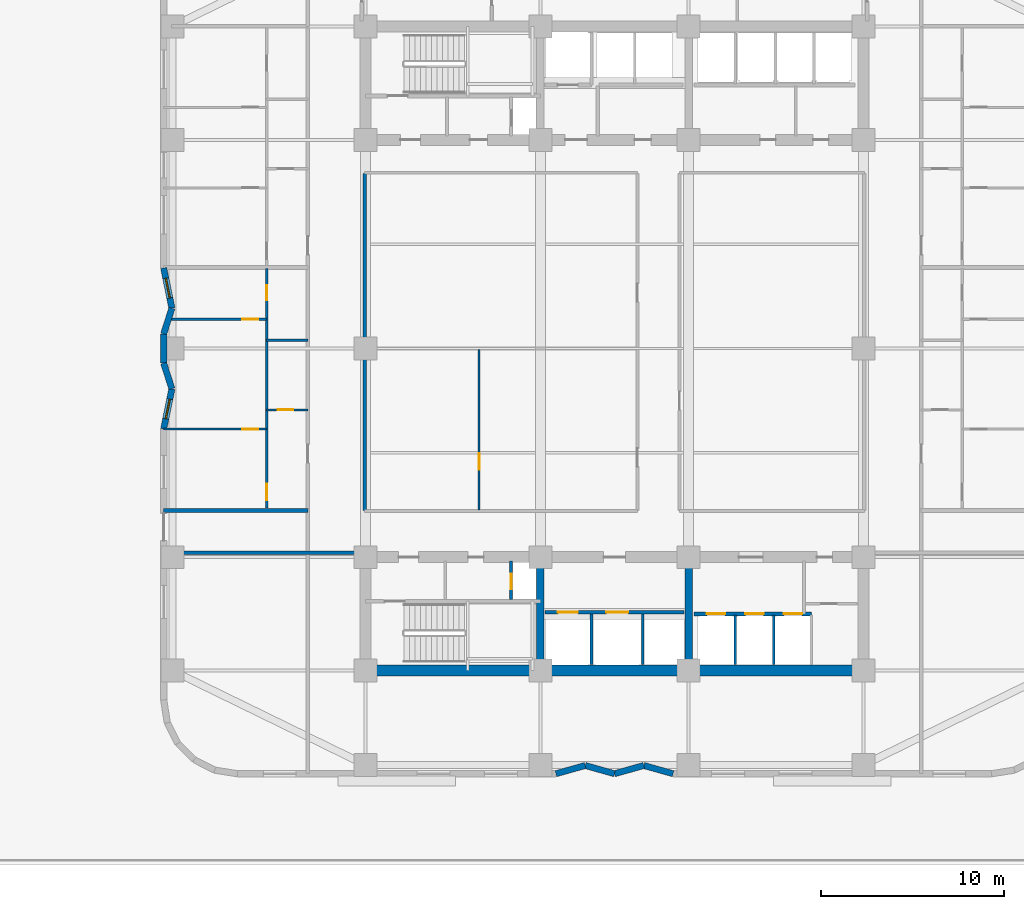
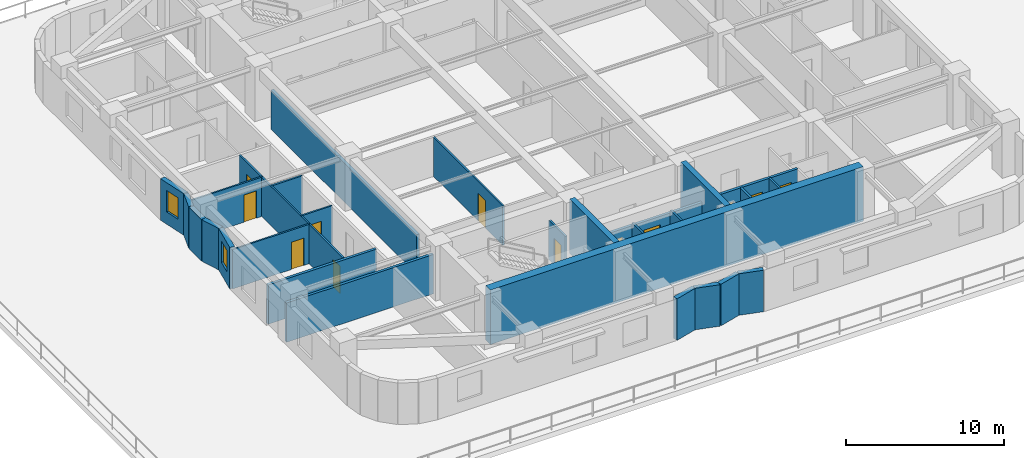
# One storey, part 3 of 11: 28 walls, 12 doors, 2 windows, 14 openings.
"""IFC4 building model written with IfcOpenShell, lengths in metres."""

from ifc_helpers import new_model, si_unit, direction, frame, frame_2d, origin, place, context, subcontext, project, spatial, rectangle, extrude, material, layer, layer_set, type_object, element, fill, save


model = new_model("IFC4")

# Units and contexts
model_context = context("Model", 3, precision=1e-05, world=origin(), true_north=direction((0.0, 1.0)))
body_context = subcontext(model_context, "Body", "Model", "MODEL_VIEW")
ifc_project = project(units=[si_unit("LENGTHUNIT", "METRE"), si_unit("AREAUNIT", "SQUARE_METRE"), si_unit("VOLUMEUNIT", "CUBIC_METRE"), si_unit("PLANEANGLEUNIT", "RADIAN"), si_unit("MASSUNIT", "GRAM", prefix="KILO")], contexts=[model_context])

# Site, building, storey
site_placement = place(None, origin())
site = spatial("IfcSite", under=ifc_project, at=site_placement, CompositionType="ELEMENT")
building_placement = place(site_placement, origin())
building = spatial("IfcBuilding", under=site, at=building_placement, Name="Svetorya Sky Lyceum", CompositionType="ELEMENT")
storey_placement = place(building_placement, frame((0.0, 0.0, 24.60009765625)))
storey = spatial("IfcBuildingStorey", under=building, at=storey_placement, Name="L05", CompositionType="ELEMENT", Elevation=24.60009765625)

# Walls
ifc_material_1 = material(Name="Concrete C40/50", Category="concrete")
ifc_layer_1 = layer(ifc_material_1, 0.39990234375)
ifc_layer_set_1 = layer_set([ifc_layer_1], Name="Concrete C40/50")
wall_type_1 = type_object("IfcWallType", Name="WL-CORE-400", PredefinedType="SHEAR", material=ifc_layer_set_1)
for number, where, z_axis, x_axis, name in (
    (1, (35.14990234375, 10.89990234375, 0.0), (0.0, 0.0, 1.0), (0.0, 1.0, 0.0), "L05 SC Internal Shear Web WEB1"),
    (2, (43.25, 10.89990234375, 0.0), (0.0, 0.0, 1.0), (0.0, 1.0, 0.0), "L05 SC Internal Shear Web WEB2"),
):
    element("IfcWall", number, at=place(storey_placement, frame(where, z_axis=z_axis, x_axis=x_axis)), inside=storey, type_object=wall_type_1, Name=name, PredefinedType="SHEAR", context=body_context, shape_type="SweptSolid", body=[
        extrude(rectangle(XDim=5.60009765625, YDim=0.39990234375, at=frame_2d((2.800048828125, 0.0))), origin(), (0.0, 0.0, 1.0), 4.199951171875),
    ])
ifc_material_2 = material(Name="Concrete C60/75", Category="concrete")
ifc_layer_2 = layer(ifc_material_2, 0.60009765625)
ifc_layer_set_2 = layer_set([ifc_layer_2], Name="Concrete C60/75")
wall_type_2 = type_object("IfcWallType", Name="WL-CORE-600", PredefinedType="SHEAR", material=ifc_layer_set_2)
wall_1_placement = place(storey_placement, frame((52.800048828125, 10.60009765625, 0.0), z_axis=(0.0, 0.0, 1.0), x_axis=(-1.0, 0.0, 0.0)))
element("IfcWall", 3, at=wall_1_placement, inside=storey, type_object=wall_type_2, Name="L05 SC Outer Core Shear Wall", PredefinedType="SHEAR", context=body_context, shape_type="SweptSolid", body=[
    extrude(rectangle(XDim=27.199951171875, YDim=0.60009765625, at=frame_2d((13.60009765625, 0.0))), origin(), (0.0, 0.0, 1.0), 4.199951171875),
])
ifc_material_3 = material(Name="Putilovo limestone rainscreen on autoclaved cellular masonry", Category="masonry")
ifc_layer_3 = layer(ifc_material_3, 0.340087890625)
ifc_layer_set_3 = layer_set([ifc_layer_3], Name="Putilovo limestone rainscreen on autoclaved cellular masonry")
wall_type_3 = type_object("IfcWallType", Name="WL-EXT-340", PredefinedType="SOLIDWALL", material=ifc_layer_set_3)
wall_2_placement = place(storey_placement, frame((36.0, 4.969970703125, 0.0), z_axis=(0.0, 0.0, 1.0), x_axis=(0.962662902433, 0.270703040766, 0.0)))
element("IfcWall", 4, at=wall_2_placement, inside=storey, type_object=wall_type_3, Name="L05 Limestone Exterior Wall 7M", PredefinedType="SOLIDWALL", context=body_context, shape_type="SweptSolid", body=[
    extrude(rectangle(XDim=1.662109375, YDim=0.340087890625, at=frame_2d((0.8310546875, 0.0))), origin(), (0.0, 0.0, 1.0), 3.199951171875),
])
wall_3_placement = place(storey_placement, frame((37.60009765625, 5.419921875, 0.0), z_axis=(0.0, 0.0, 1.0), x_axis=(0.962652136636, -0.270741322725, 0.0)))
element("IfcWall", 5, at=wall_3_placement, inside=storey, type_object=wall_type_3, Name="L05 Limestone Exterior Wall 8M", PredefinedType="SOLIDWALL", context=body_context, shape_type="SweptSolid", body=[
    extrude(rectangle(XDim=1.661865234375, YDim=0.340087890625, at=frame_2d((0.8310546875, 0.0))), origin(), (0.0, 0.0, 1.0), 3.199951171875),
])
wall_4_placement = place(storey_placement, frame((39.199951171875, 4.969970703125, 0.0), z_axis=(0.0, 0.0, 1.0), x_axis=(0.962662902433, 0.270703040766, 0.0)))
element("IfcWall", 6, at=wall_4_placement, inside=storey, type_object=wall_type_3, Name="L05 Limestone Exterior Wall 9M", PredefinedType="SOLIDWALL", context=body_context, shape_type="SweptSolid", body=[
    extrude(rectangle(XDim=1.662109375, YDim=0.340087890625, at=frame_2d((0.8310546875, 0.0))), origin(), (0.0, 0.0, 1.0), 3.199951171875),
])
wall_5_placement = place(storey_placement, frame((40.800048828125, 5.419921875, 0.0), z_axis=(0.0, 0.0, 1.0), x_axis=(0.962652136636, -0.270741322725, 0.0)))
element("IfcWall", 7, at=wall_5_placement, inside=storey, type_object=wall_type_3, Name="L05 Limestone Exterior Wall 10M", PredefinedType="SOLIDWALL", context=body_context, shape_type="SweptSolid", body=[
    extrude(rectangle(XDim=1.661865234375, YDim=0.340087890625, at=frame_2d((0.8310546875, 0.0))), origin(), (0.0, 0.0, 1.0), 3.199951171875),
])

# Wall, opening, window
wall_6_placement = place(storey_placement, frame((14.570068359375, 32.60009765625, 0.0), z_axis=(0.0, 0.0, 1.0), x_axis=(0.200358291506, -0.979722692921, 0.0)))
wall_6 = element("IfcWall", 8, at=wall_6_placement, inside=storey, type_object=wall_type_3, Name="L05 Limestone Exterior Wall 41M", PredefinedType="SOLIDWALL", context=body_context, shape_type="SweptSolid", body=[
    extrude(rectangle(XDim=2.245849609375, YDim=0.340087890625, at=frame_2d((1.123046875, 0.0))), origin(), (0.0, 0.0, 1.0), 3.199951171875),
])
opening_1_placement = place(wall_6_placement, frame((0.57275390625, 0.0, 0.949951171875)))
opening_1 = element("IfcOpeningElement", 9, at=opening_1_placement, cuts=wall_6, Name="Opening W-R3", PredefinedType="OPENING", context=body_context, shape_type="SweptSolid", body=[
    extrude(rectangle(XDim=1.10009765625, YDim=1.64990234375, at=frame_2d((0.550048828125, 0.824951171875))), frame((0.0, 0.179931640625, 0.0), z_axis=(0.0, -1.0, 0.0), x_axis=(1.0, 0.0, 0.0)), (0.0, 0.0, 1.0), 0.360107421875),
])
ifc_material_4 = material(Name="Thermally broken aluminium frame with triple low-E glazing", Category="aluminium")
window_type = type_object("IfcWindowType", Name="WN-RES-110", PartitioningType="SINGLE_PANEL", PredefinedType="WINDOW", material=ifc_material_4)
window_1_placement = place(opening_1_placement, origin())
window_1 = element("IfcWindow", 10, at=window_1_placement, inside=storey, type_object=window_type, Name="L05 Facade Window W-R3.41M.1", OverallHeight=1.64990234375, OverallWidth=1.10009765625, PartitioningType="SINGLE_PANEL", PredefinedType="WINDOW", context=body_context, shape_type="SweptSolid", body=[
    extrude(rectangle(XDim=1.10009765625, YDim=1.64990234375, at=frame_2d((0.550048828125, 0.824951171875))), frame((0.0, 0.030029296875, 0.0), z_axis=(0.0, -1.0, 0.0), x_axis=(1.0, 0.0, 0.0)), (0.0, 0.0, 1.0), 0.06005859375),
])
fill(opening_1, window_1)

# Walls
wall_7_placement = place(storey_placement, frame((15.02001953125, 30.39990234375, 0.0), z_axis=(0.0, 0.0, 1.0), x_axis=(-0.30599843145, -0.952032016242, 0.0)))
element("IfcWall", 11, at=wall_7_placement, inside=storey, type_object=wall_type_3, Name="L05 Limestone Exterior Wall 42M", PredefinedType="SOLIDWALL", context=body_context, shape_type="SweptSolid", body=[
    extrude(rectangle(XDim=1.470458984375, YDim=0.340087890625, at=frame_2d((0.7353515625, 0.0))), origin(), (0.0, 0.0, 1.0), 3.199951171875),
])
wall_8_placement = place(storey_placement, frame((14.570068359375, 29.0, 0.0), z_axis=(0.0, 0.0, 1.0), x_axis=(0.0, -1.0, 0.0)))
element("IfcWall", 12, at=wall_8_placement, inside=storey, type_object=wall_type_3, Name="L05 Limestone Exterior Wall 43M", PredefinedType="SOLIDWALL", context=body_context, shape_type="SweptSolid", body=[
    extrude(rectangle(XDim=1.60009765625, YDim=0.340087890625, at=frame_2d((0.800048828125, 0.0))), origin(), (0.0, 0.0, 1.0), 3.199951171875),
])
wall_9_placement = place(storey_placement, frame((14.570068359375, 27.39990234375, 0.0), z_axis=(0.0, 0.0, 1.0), x_axis=(0.30599843145, -0.952032016242, 0.0)))
element("IfcWall", 13, at=wall_9_placement, inside=storey, type_object=wall_type_3, Name="L05 Limestone Exterior Wall 44M", PredefinedType="SOLIDWALL", context=body_context, shape_type="SweptSolid", body=[
    extrude(rectangle(XDim=1.470458984375, YDim=0.340087890625, at=frame_2d((0.7353515625, 0.0))), origin(), (0.0, 0.0, 1.0), 3.199951171875),
])

# Wall, opening, window
wall_10_placement = place(storey_placement, frame((15.02001953125, 26.0, 0.0), z_axis=(0.0, 0.0, 1.0), x_axis=(-0.200379633636, -0.979718328104, 0.0)))
wall_10 = element("IfcWall", 14, at=wall_10_placement, inside=storey, type_object=wall_type_3, Name="L05 Limestone Exterior Wall 45M", PredefinedType="SOLIDWALL", context=body_context, shape_type="SweptSolid", body=[
    extrude(rectangle(XDim=2.24560546875, YDim=0.340087890625, at=frame_2d((1.122802734375, 0.0))), origin(), (0.0, 0.0, 1.0), 3.199951171875),
])
opening_2_placement = place(wall_10_placement, frame((0.57275390625, 0.0, 0.949951171875)))
opening_2 = element("IfcOpeningElement", 15, at=opening_2_placement, cuts=wall_10, Name="Opening W-R3", PredefinedType="OPENING", context=body_context, shape_type="SweptSolid", body=[
    extrude(rectangle(XDim=1.10009765625, YDim=1.64990234375, at=frame_2d((0.550048828125, 0.824951171875))), frame((0.0, 0.179931640625, 0.0), z_axis=(0.0, -1.0, 0.0), x_axis=(1.0, 0.0, 0.0)), (0.0, 0.0, 1.0), 0.360107421875),
])
window_2_placement = place(opening_2_placement, origin())
window_2 = element("IfcWindow", 16, at=window_2_placement, inside=storey, type_object=window_type, Name="L05 Facade Window W-R3.45M.1", OverallHeight=1.64990234375, OverallWidth=1.10009765625, PartitioningType="SINGLE_PANEL", PredefinedType="WINDOW", context=body_context, shape_type="SweptSolid", body=[
    extrude(rectangle(XDim=1.10009765625, YDim=1.64990234375, at=frame_2d((0.550048828125, 0.824951171875))), frame((0.0, 0.030029296875, 0.0), z_axis=(0.0, -1.0, 0.0), x_axis=(1.0, 0.0, 0.0)), (0.0, 0.0, 1.0), 0.06005859375),
])
fill(opening_2, window_2)

# Wall, opening, door
ifc_material_5 = material(Name="Twin-stud galvanized framing with double fireboard", Category="gypsum")
ifc_layer_4 = layer(ifc_material_5, 0.1201171875)
ifc_layer_set_4 = layer_set([ifc_layer_4], Name="Twin-stud galvanized framing with double fireboard")
wall_type_4 = type_object("IfcWallType", Name="WL-PART-120", PredefinedType="PARTITIONING", material=ifc_layer_set_4)
wall_11_placement = place(storey_placement, frame((31.800048828125, 19.3798828125, 0.0), z_axis=(0.0, 0.0, 1.0), x_axis=(0.0, 1.0, 0.0)))
wall_11 = element("IfcWall", 17, at=wall_11_placement, inside=storey, type_object=wall_type_4, Name="L05 Interior Partition CEN-WV1", PredefinedType="PARTITIONING", context=body_context, shape_type="SweptSolid", body=[
    extrude(rectangle(XDim=8.77001953125, YDim=0.1201171875, at=frame_2d((4.385009765625, 0.0))), origin(), (0.0, 0.0, 1.0), 3.02978515625),
])
opening_3_placement = place(wall_11_placement, frame((2.199951171875, 0.0, 0.0)))
opening_3 = element("IfcOpeningElement", 18, at=opening_3_placement, cuts=wall_11, Name="Opening D-RM1", PredefinedType="OPENING", context=body_context, shape_type="SweptSolid", body=[
    extrude(rectangle(XDim=0.89990234375, YDim=2.10009765625, at=frame_2d((0.449951171875, 1.050048828125))), frame((0.0, 0.070068359375, 0.0), z_axis=(0.0, -1.0, 0.0), x_axis=(1.0, 0.0, 0.0)), (0.0, 0.0, 1.0), 0.14013671875),
])
ifc_material_6 = material(Name="Lacquered birch veneer internal door")
door_type_1 = type_object("IfcDoorType", Name="DR-INT-900", OperationType="SINGLE_SWING_LEFT", PredefinedType="DOOR", material=ifc_material_6)
door_1_placement = place(opening_3_placement, origin())
door_1 = element("IfcDoor", 19, at=door_1_placement, inside=storey, type_object=door_type_1, Name="L05 Quiet Study Door", OperationType="SINGLE_SWING_LEFT", OverallHeight=2.10009765625, OverallWidth=0.89990234375, PredefinedType="DOOR", context=body_context, shape_type="SweptSolid", body=[
    extrude(rectangle(XDim=0.89990234375, YDim=2.10009765625, at=frame_2d((0.449951171875, 1.050048828125))), frame((0.0, 0.02490234375, 0.0), z_axis=(0.0, -1.0, 0.0), x_axis=(1.0, 0.0, 0.0)), (0.0, 0.0, 1.0), 0.050048828125),
])
fill(opening_3, door_1)

wall_12_placement = place(storey_placement, frame((20.199951171875, 24.85009765625, 0.0), z_axis=(0.0, 0.0, 1.0), x_axis=(1.0, 0.0, 0.0)))
wall_12 = element("IfcWall", 20, at=wall_12_placement, inside=storey, type_object=wall_type_4, Name="L05 Interior Partition W1-WH1", PredefinedType="PARTITIONING", context=body_context, shape_type="SweptSolid", body=[
    extrude(rectangle(XDim=2.25, YDim=0.1201171875, at=frame_2d((1.125, 0.0))), origin(), (0.0, 0.0, 1.0), 3.02978515625),
])
opening_4_placement = place(wall_12_placement, frame((0.60009765625, 0.0, 0.0)))
opening_4 = element("IfcOpeningElement", 21, at=opening_4_placement, cuts=wall_12, Name="Opening D-BT1", PredefinedType="OPENING", context=body_context, shape_type="SweptSolid", body=[
    extrude(rectangle(XDim=0.85009765625, YDim=2.10009765625, at=frame_2d((0.425048828125, 1.050048828125))), frame((0.0, 0.070068359375, 0.0), z_axis=(0.0, -1.0, 0.0), x_axis=(1.0, 0.0, 0.0)), (0.0, 0.0, 1.0), 0.14013671875),
])
ifc_material_7 = material(Name="Moisture-resistant laminate bathroom door")
door_type_2 = type_object("IfcDoorType", Name="DR-WET-850", OperationType="SINGLE_SWING_LEFT", PredefinedType="DOOR", material=ifc_material_7)
door_2_placement = place(opening_4_placement, origin())
door_2 = element("IfcDoor", 22, at=door_2_placement, inside=storey, type_object=door_type_2, Name="Apartment W1 Bathroom Door", OperationType="SINGLE_SWING_LEFT", OverallHeight=2.10009765625, OverallWidth=0.85009765625, PredefinedType="DOOR", context=body_context, shape_type="SweptSolid", body=[
    extrude(rectangle(XDim=0.85009765625, YDim=2.10009765625, at=frame_2d((0.425048828125, 1.050048828125))), frame((0.0, 0.02490234375, 0.0), z_axis=(0.0, -1.0, 0.0), x_axis=(1.0, 0.0, 0.0)), (0.0, 0.0, 1.0), 0.050048828125),
])
fill(opening_4, door_2)

wall_13_placement = place(storey_placement, frame((14.570068359375, 23.800048828125, 0.0), z_axis=(0.0, 0.0, 1.0), x_axis=(1.0, 0.0, 0.0)))
wall_13 = element("IfcWall", 23, at=wall_13_placement, inside=storey, type_object=wall_type_4, Name="L05 Interior Partition W1-WL1", PredefinedType="PARTITIONING", context=body_context, shape_type="SweptSolid", body=[
    extrude(rectangle(XDim=5.6298828125, YDim=0.1201171875, at=frame_2d((2.81494140625, 0.0))), origin(), (0.0, 0.0, 1.0), 3.02978515625),
])
opening_5_placement = place(wall_13_placement, frame((4.280029296875, 0.0, 0.0)))
opening_5 = element("IfcOpeningElement", 24, at=opening_5_placement, cuts=wall_13, Name="Opening D-RM1", PredefinedType="OPENING", context=body_context, shape_type="SweptSolid", body=[
    extrude(rectangle(XDim=0.89990234375, YDim=2.10009765625, at=frame_2d((0.449951171875, 1.050048828125))), frame((0.0, 0.070068359375, 0.0), z_axis=(0.0, -1.0, 0.0), x_axis=(1.0, 0.0, 0.0)), (0.0, 0.0, 1.0), 0.14013671875),
])
door_3_placement = place(opening_5_placement, origin())
door_3 = element("IfcDoor", 25, at=door_3_placement, inside=storey, type_object=door_type_1, Name="Apartment W1 Master Bedroom Door", OperationType="SINGLE_SWING_LEFT", OverallHeight=2.10009765625, OverallWidth=0.89990234375, PredefinedType="DOOR", context=body_context, shape_type="SweptSolid", body=[
    extrude(rectangle(XDim=0.89990234375, YDim=2.10009765625, at=frame_2d((0.449951171875, 1.050048828125))), frame((0.0, 0.02490234375, 0.0), z_axis=(0.0, -1.0, 0.0), x_axis=(1.0, 0.0, 0.0)), (0.0, 0.0, 1.0), 0.050048828125),
])
fill(opening_5, door_3)

wall_14_placement = place(storey_placement, frame((14.8271484375, 29.800048828125, 0.0), z_axis=(0.0, 0.0, 1.0), x_axis=(1.0, 0.0, 0.0)))
wall_14 = element("IfcWall", 26, at=wall_14_placement, inside=storey, type_object=wall_type_4, Name="L05 Interior Partition W1-WL2", PredefinedType="PARTITIONING", context=body_context, shape_type="SweptSolid", body=[
    extrude(rectangle(XDim=5.372802734375, YDim=0.1201171875, at=frame_2d((2.6865234375, 0.0))), origin(), (0.0, 0.0, 1.0), 3.02978515625),
])
opening_6_placement = place(wall_14_placement, frame((4.02294921875, 0.0, 0.0)))
opening_6 = element("IfcOpeningElement", 27, at=opening_6_placement, cuts=wall_14, Name="Opening D-RM1", PredefinedType="OPENING", context=body_context, shape_type="SweptSolid", body=[
    extrude(rectangle(XDim=0.89990234375, YDim=2.10009765625, at=frame_2d((0.449951171875, 1.050048828125))), frame((0.0, 0.070068359375, 0.0), z_axis=(0.0, -1.0, 0.0), x_axis=(1.0, 0.0, 0.0)), (0.0, 0.0, 1.0), 0.14013671875),
])
door_4_placement = place(opening_6_placement, origin())
door_4 = element("IfcDoor", 28, at=door_4_placement, inside=storey, type_object=door_type_1, Name="Apartment W1 Bedroom 2 Door", OperationType="SINGLE_SWING_RIGHT", OverallHeight=2.10009765625, OverallWidth=0.89990234375, PredefinedType="DOOR", context=body_context, shape_type="SweptSolid", body=[
    extrude(rectangle(XDim=0.89990234375, YDim=2.10009765625, at=frame_2d((0.449951171875, 1.050048828125))), frame((0.0, 0.02490234375, 0.0), z_axis=(0.0, -1.0, 0.0), x_axis=(1.0, 0.0, 0.0)), (0.0, 0.0, 1.0), 0.050048828125),
])
fill(opening_6, door_4)

# Wall, openings, doors
wall_15_placement = place(storey_placement, frame((20.199951171875, 19.489990234375, 0.0), z_axis=(0.0, 0.0, 1.0), x_axis=(0.0, 1.0, 0.0)))
wall_15 = element("IfcWall", 29, at=wall_15_placement, inside=storey, type_object=wall_type_4, Name="L05 Interior Partition W1-WV", PredefinedType="PARTITIONING", context=body_context, shape_type="SweptSolid", body=[
    extrude(rectangle(XDim=13.094970703125, YDim=0.1201171875, at=frame_2d((6.54736328125, 0.0))), origin(), (0.0, 0.0, 1.0), 3.02978515625),
])
opening_7_placement = place(wall_15_placement, frame((0.409912109375, 0.0, 0.0)))
opening_7 = element("IfcOpeningElement", 30, at=opening_7_placement, cuts=wall_15, Name="Opening D-RM1", PredefinedType="OPENING", context=body_context, shape_type="SweptSolid", body=[
    extrude(rectangle(XDim=0.89990234375, YDim=2.10009765625, at=frame_2d((0.449951171875, 1.050048828125))), frame((0.0, 0.070068359375, 0.0), z_axis=(0.0, -1.0, 0.0), x_axis=(1.0, 0.0, 0.0)), (0.0, 0.0, 1.0), 0.14013671875),
])
opening_8_placement = place(wall_15_placement, frame((11.360107421875, 0.0, 0.0)))
opening_8 = element("IfcOpeningElement", 31, at=opening_8_placement, cuts=wall_15, Name="Opening D-BT2", PredefinedType="OPENING", context=body_context, shape_type="SweptSolid", body=[
    extrude(rectangle(XDim=0.820068359375, YDim=2.080078125, at=frame_2d((0.41015625, 1.0400390625))), frame((0.0, 0.070068359375, 0.0), z_axis=(0.0, -1.0, 0.0), x_axis=(1.0, 0.0, 0.0)), (0.0, 0.0, 1.0), 0.14013671875),
])
door_5_placement = place(opening_7_placement, origin())
door_5 = element("IfcDoor", 32, at=door_5_placement, inside=storey, type_object=door_type_1, Name="Apartment W1 Living Door", OperationType="SINGLE_SWING_RIGHT", OverallHeight=2.10009765625, OverallWidth=0.89990234375, PredefinedType="DOOR", context=body_context, shape_type="SweptSolid", body=[
    extrude(rectangle(XDim=0.89990234375, YDim=2.10009765625, at=frame_2d((0.449951171875, 1.050048828125))), frame((0.0, 0.02490234375, 0.0), z_axis=(0.0, -1.0, 0.0), x_axis=(1.0, 0.0, 0.0)), (0.0, 0.0, 1.0), 0.050048828125),
])
fill(opening_7, door_5)
ifc_material_8 = material(Name="Compact moisture-resistant laminate closet door")
door_type_3 = type_object("IfcDoorType", Name="DR-WET-820", OperationType="SINGLE_SWING_LEFT", PredefinedType="DOOR", material=ifc_material_8)
door_6_placement = place(opening_8_placement, origin())
door_6 = element("IfcDoor", 33, at=door_6_placement, inside=storey, type_object=door_type_3, Name="Apartment W1 Study Door", OperationType="SINGLE_SWING_LEFT", OverallHeight=2.080078125, OverallWidth=0.820068359375, PredefinedType="DOOR", context=body_context, shape_type="SweptSolid", body=[
    extrude(rectangle(XDim=0.820068359375, YDim=2.080078125, at=frame_2d((0.41015625, 1.0400390625))), frame((0.0, 0.02490234375, 0.0), z_axis=(0.0, -1.0, 0.0), x_axis=(1.0, 0.0, 0.0)), (0.0, 0.0, 1.0), 0.050048828125),
])
fill(opening_8, door_6)

# Wall
ifc_material_9 = material(Name="Twin-stud galvanized framing with acoustic board", Category="gypsum")
ifc_layer_5 = layer(ifc_material_9, 0.135009765625)
ifc_layer_set_5 = layer_set([ifc_layer_5], Name="Twin-stud galvanized framing with acoustic board")
wall_type_5 = type_object("IfcWallType", Name="WL-PART-135", PredefinedType="PARTITIONING", material=ifc_layer_set_5)
wall_16_placement = place(storey_placement, frame((20.199951171875, 28.64990234375, 0.0), z_axis=(0.0, 0.0, 1.0), x_axis=(1.0, 0.0, 0.0)))
element("IfcWall", 34, at=wall_16_placement, inside=storey, type_object=wall_type_5, Name="L05 Interior Partition W1-WH2", PredefinedType="PARTITIONING", context=body_context, shape_type="SweptSolid", body=[
    extrude(rectangle(XDim=2.25, YDim=0.135009765625, at=frame_2d((1.125, 0.0))), origin(), (0.0, 0.0, 1.0), 3.02978515625),
])

# Wall, opening, door
ifc_material_10 = material(Name="Autoclaved cellular masonry blockwork with acoustic render", Category="masonry")
ifc_layer_6 = layer(ifc_material_10, 0.14990234375)
ifc_layer_set_6 = layer_set([ifc_layer_6], Name="Autoclaved cellular masonry blockwork with acoustic render")
wall_type_6 = type_object("IfcWallType", Name="WL-PART-150", PredefinedType="PARTITIONING", material=ifc_layer_set_6)
wall_17_placement = place(storey_placement, frame((33.550048828125, 14.5, 0.0), z_axis=(0.0, 0.0, 1.0), x_axis=(0.0, 1.0, 0.0)))
wall_17 = element("IfcWall", 35, at=wall_17_placement, inside=storey, type_object=wall_type_6, Name="L05 Interior Partition SC-SWD2", PredefinedType="PARTITIONING", context=body_context, shape_type="SweptSolid", body=[
    extrude(rectangle(XDim=2.080078125, YDim=0.14990234375, at=frame_2d((1.0400390625, 0.0))), origin(), (0.0, 0.0, 1.0), 3.02978515625),
])
opening_9_placement = place(wall_17_placement, frame((0.550048828125, 0.0, 0.0)))
opening_9 = element("IfcOpeningElement", 36, at=opening_9_placement, cuts=wall_17, Name="Opening D-SH1", PredefinedType="OPENING", context=body_context, shape_type="SweptSolid", body=[
    extrude(rectangle(XDim=0.85009765625, YDim=2.050048828125, at=frame_2d((0.425048828125, 1.02490234375))), frame((0.0, 0.0849609375, 0.0), z_axis=(0.0, -1.0, 0.0), x_axis=(1.0, 0.0, 0.0)), (0.0, 0.0, 1.0), 0.169921875),
])
ifc_material_11 = material(Name="Insulated galvanized riser inspection fire door")
door_type_4 = type_object("IfcDoorType", Name="DR-SHFT-850", OperationType="SINGLE_SWING_LEFT", PredefinedType="TRAPDOOR", material=ifc_material_11)
door_7_placement = place(opening_9_placement, origin())
door_7 = element("IfcDoor", 37, at=door_7_placement, inside=storey, type_object=door_type_4, Name="L05 South Riser Access Door", OperationType="SINGLE_SWING_RIGHT", OverallHeight=2.050048828125, OverallWidth=0.85009765625, PredefinedType="TRAPDOOR", context=body_context, shape_type="SweptSolid", body=[
    extrude(rectangle(XDim=0.85009765625, YDim=2.050048828125, at=frame_2d((0.425048828125, 1.02490234375))), frame((0.0, 0.02490234375, 0.0), z_axis=(0.0, -1.0, 0.0), x_axis=(1.0, 0.0, 0.0)), (0.0, 0.0, 1.0), 0.050048828125),
])
fill(opening_9, door_7)

# Walls
for number, where, z_axis, x_axis, name in (
    (38, (37.949951171875, 10.949951171875, 0.0), (0.0, 0.0, 1.0), (0.0, 1.0, 0.0), "L05 Interior Partition SC-SHD1"),
    (39, (40.75, 10.949951171875, 0.0), (0.0, 0.0, 1.0), (0.0, 1.0, 0.0), "L05 Interior Partition SC-SHD2"),
):
    element("IfcWall", number, at=place(storey_placement, frame(where, z_axis=z_axis, x_axis=x_axis)), inside=storey, type_object=wall_type_6, Name=name, PredefinedType="PARTITIONING", context=body_context, shape_type="SweptSolid", body=[
        extrude(rectangle(XDim=2.75, YDim=0.14990234375, at=frame_2d((1.375, 0.0))), origin(), (0.0, 0.0, 1.0), 3.02978515625),
    ])
for number, where, z_axis, x_axis, name in (
    (40, (45.800048828125, 10.949951171875, 0.0), (0.0, 0.0, 1.0), (0.0, 1.0, 0.0), "L05 Interior Partition SC-PL-DIV1"),
    (41, (47.89990234375, 10.949951171875, 0.0), (0.0, 0.0, 1.0), (0.0, 1.0, 0.0), "L05 Interior Partition SC-PL-DIV2"),
):
    element("IfcWall", number, at=place(storey_placement, frame(where, z_axis=z_axis, x_axis=x_axis)), inside=storey, type_object=wall_type_6, Name=name, PredefinedType="PARTITIONING", context=body_context, shape_type="SweptSolid", body=[
        extrude(rectangle(XDim=2.699951171875, YDim=0.14990234375, at=frame_2d((1.35009765625, 0.0))), origin(), (0.0, 0.0, 1.0), 3.02978515625),
    ])

# Wall, openings, doors
ifc_material_12 = material(Name="Autoclaved cellular masonry blockwork with gypsum plaster", Category="masonry")
ifc_layer_7 = layer(ifc_material_12, 0.199951171875)
ifc_layer_set_7 = layer_set([ifc_layer_7], Name="Autoclaved cellular masonry blockwork with gypsum plaster")
wall_type_7 = type_object("IfcWallType", Name="WL-PART-200", PredefinedType="PARTITIONING", material=ifc_layer_set_7)
wall_18_placement = place(storey_placement, frame((35.39990234375, 13.800048828125, 0.0), z_axis=(0.0, 0.0, 1.0), x_axis=(1.0, 0.0, 0.0)))
wall_18 = element("IfcWall", 42, at=wall_18_placement, inside=storey, type_object=wall_type_7, Name="L05 Interior Partition SC-FLW", PredefinedType="PARTITIONING", context=body_context, shape_type="SweptSolid", body=[
    extrude(rectangle(XDim=7.60009765625, YDim=0.199951171875, at=frame_2d((3.800048828125, 0.0))), origin(), (0.0, 0.0, 1.0), 2.7998046875),
])
opening_10_placement = place(wall_18_placement, frame((0.699951171875, 0.0, 0.0)))
opening_10 = element("IfcOpeningElement", 43, at=opening_10_placement, cuts=wall_18, Name="Opening LD-FL", PredefinedType="OPENING", context=body_context, shape_type="SweptSolid", body=[
    extrude(rectangle(XDim=1.10009765625, YDim=2.14990234375, at=frame_2d((0.550048828125, 1.074951171875))), frame((0.0, 0.10986328125, 0.0), z_axis=(0.0, -1.0, 0.0), x_axis=(1.0, 0.0, 0.0)), (0.0, 0.0, 1.0), 0.219970703125),
])
opening_11_placement = place(wall_18_placement, frame((3.35009765625, 0.0, 0.0)))
opening_11 = element("IfcOpeningElement", 44, at=opening_11_placement, cuts=wall_18, Name="Opening LD-SV", PredefinedType="OPENING", context=body_context, shape_type="SweptSolid", body=[
    extrude(rectangle(XDim=1.199951171875, YDim=2.14990234375, at=frame_2d((0.60009765625, 1.074951171875))), frame((0.0, 0.10986328125, 0.0), z_axis=(0.0, -1.0, 0.0), x_axis=(1.0, 0.0, 0.0)), (0.0, 0.0, 1.0), 0.219970703125),
])
ifc_material_13 = material(Name="Fire-rated stainless AISI 304 firefighting lift landing door")
door_type_5 = type_object("IfcDoorType", Name="DR-LIFT-1100", OperationType="SLIDING_TO_LEFT", PredefinedType="DOOR", material=ifc_material_13)
door_8_placement = place(opening_10_placement, origin())
door_8 = element("IfcDoor", 45, at=door_8_placement, inside=storey, type_object=door_type_5, Name="L05 Firefighting Lift FL2 Landing Door", OperationType="SLIDING_TO_LEFT", OverallHeight=2.14990234375, OverallWidth=1.10009765625, PredefinedType="DOOR", context=body_context, shape_type="SweptSolid", body=[
    extrude(rectangle(XDim=1.10009765625, YDim=2.14990234375, at=frame_2d((0.550048828125, 1.074951171875))), frame((0.0, 0.02490234375, 0.0), z_axis=(0.0, -1.0, 0.0), x_axis=(1.0, 0.0, 0.0)), (0.0, 0.0, 1.0), 0.050048828125),
])
fill(opening_10, door_8)
ifc_material_14 = material(Name="Brushed stainless AISI 304 telescopic lift landing door")
door_type_6 = type_object("IfcDoorType", Name="DR-LIFT-1200", OperationType="SLIDING_TO_LEFT", PredefinedType="DOOR", material=ifc_material_14)
door_9_placement = place(opening_11_placement, origin())
door_9 = element("IfcDoor", 46, at=door_9_placement, inside=storey, type_object=door_type_6, Name="L05 Service Lift SVL1 Landing Door", OperationType="SLIDING_TO_LEFT", OverallHeight=2.14990234375, OverallWidth=1.199951171875, PredefinedType="DOOR", context=body_context, shape_type="SweptSolid", body=[
    extrude(rectangle(XDim=1.199951171875, YDim=2.14990234375, at=frame_2d((0.60009765625, 1.074951171875))), frame((0.0, 0.02490234375, 0.0), z_axis=(0.0, -1.0, 0.0), x_axis=(1.0, 0.0, 0.0)), (0.0, 0.0, 1.0), 0.050048828125),
])
fill(opening_11, door_9)

wall_19_placement = place(storey_placement, frame((43.550048828125, 13.699951171875, 0.0), z_axis=(0.0, 0.0, 1.0), x_axis=(1.0, 0.0, 0.0)))
wall_19 = element("IfcWall", 47, at=wall_19_placement, inside=storey, type_object=wall_type_7, Name="L05 Interior Partition SC-PLW", PredefinedType="PARTITIONING", context=body_context, shape_type="SweptSolid", body=[
    extrude(rectangle(XDim=6.39990234375, YDim=0.199951171875, at=frame_2d((3.199951171875, 0.0))), origin(), (0.0, 0.0, 1.0), 3.02978515625),
])
opening_12_placement = place(wall_19_placement, frame((0.699951171875, 0.0, 0.0)))
opening_12 = element("IfcOpeningElement", 48, at=opening_12_placement, cuts=wall_19, Name="Opening LD-P1", PredefinedType="OPENING", context=body_context, shape_type="SweptSolid", body=[
    extrude(rectangle(XDim=1.0, YDim=2.14990234375, at=frame_2d((0.5, 1.074951171875))), frame((0.0, 0.10986328125, 0.0), z_axis=(0.0, -1.0, 0.0), x_axis=(1.0, 0.0, 0.0)), (0.0, 0.0, 1.0), 0.219970703125),
])
opening_13_placement = place(wall_19_placement, frame((2.800048828125, 0.0, 0.0)))
opening_13 = element("IfcOpeningElement", 49, at=opening_13_placement, cuts=wall_19, Name="Opening LD-P1", PredefinedType="OPENING", context=body_context, shape_type="SweptSolid", body=[
    extrude(rectangle(XDim=1.0, YDim=2.14990234375, at=frame_2d((0.5, 1.074951171875))), frame((0.0, 0.10986328125, 0.0), z_axis=(0.0, -1.0, 0.0), x_axis=(1.0, 0.0, 0.0)), (0.0, 0.0, 1.0), 0.219970703125),
])
opening_14_placement = place(wall_19_placement, frame((4.89990234375, 0.0, 0.0)))
opening_14 = element("IfcOpeningElement", 50, at=opening_14_placement, cuts=wall_19, Name="Opening LD-P1", PredefinedType="OPENING", context=body_context, shape_type="SweptSolid", body=[
    extrude(rectangle(XDim=1.0, YDim=2.14990234375, at=frame_2d((0.5, 1.074951171875))), frame((0.0, 0.10986328125, 0.0), z_axis=(0.0, -1.0, 0.0), x_axis=(1.0, 0.0, 0.0)), (0.0, 0.0, 1.0), 0.219970703125),
])
ifc_material_15 = material(Name="Champagne-anodized stainless passenger lift landing door")
door_type_7 = type_object("IfcDoorType", Name="DR-LIFT-1000", OperationType="SLIDING_TO_LEFT", PredefinedType="DOOR", material=ifc_material_15)
door_10_placement = place(opening_12_placement, origin())
door_10 = element("IfcDoor", 51, at=door_10_placement, inside=storey, type_object=door_type_7, Name="L05 Passenger Lift PL1 Landing Door", OperationType="SLIDING_TO_LEFT", OverallHeight=2.14990234375, OverallWidth=1.0, PredefinedType="DOOR", context=body_context, shape_type="SweptSolid", body=[
    extrude(rectangle(XDim=1.0, YDim=2.14990234375, at=frame_2d((0.5, 1.074951171875))), frame((0.0, 0.02490234375, 0.0), z_axis=(0.0, -1.0, 0.0), x_axis=(1.0, 0.0, 0.0)), (0.0, 0.0, 1.0), 0.050048828125),
])
fill(opening_12, door_10)
door_11_placement = place(opening_13_placement, origin())
door_11 = element("IfcDoor", 52, at=door_11_placement, inside=storey, type_object=door_type_7, Name="L05 Passenger Lift PL2 Landing Door", OperationType="SLIDING_TO_LEFT", OverallHeight=2.14990234375, OverallWidth=1.0, PredefinedType="DOOR", context=body_context, shape_type="SweptSolid", body=[
    extrude(rectangle(XDim=1.0, YDim=2.14990234375, at=frame_2d((0.5, 1.074951171875))), frame((0.0, 0.02490234375, 0.0), z_axis=(0.0, -1.0, 0.0), x_axis=(1.0, 0.0, 0.0)), (0.0, 0.0, 1.0), 0.050048828125),
])
fill(opening_13, door_11)
door_12_placement = place(opening_14_placement, origin())
door_12 = element("IfcDoor", 53, at=door_12_placement, inside=storey, type_object=door_type_7, Name="L05 Passenger Lift PL3 Landing Door", OperationType="SLIDING_TO_LEFT", OverallHeight=2.14990234375, OverallWidth=1.0, PredefinedType="DOOR", context=body_context, shape_type="SweptSolid", body=[
    extrude(rectangle(XDim=1.0, YDim=2.14990234375, at=frame_2d((0.5, 1.074951171875))), frame((0.0, 0.02490234375, 0.0), z_axis=(0.0, -1.0, 0.0), x_axis=(1.0, 0.0, 0.0)), (0.0, 0.0, 1.0), 0.050048828125),
])
fill(opening_14, door_12)

# Walls
wall_20_placement = place(storey_placement, frame((25.550048828125, 19.35009765625, 0.0), z_axis=(0.0, 0.0, 1.0), x_axis=(0.0, 1.0, 0.0)))
element("IfcWall", 54, at=wall_20_placement, inside=storey, type_object=wall_type_7, Name="L05 Interior Partition W-CEN-SEP", PredefinedType="PARTITIONING", context=body_context, shape_type="SweptSolid", body=[
    extrude(rectangle(XDim=18.419921875, YDim=0.199951171875, at=frame_2d((9.2099609375, 0.0))), origin(), (0.0, 0.0, 1.0), 3.02978515625),
])
wall_21_placement = place(storey_placement, frame((14.570068359375, 17.050048828125, 0.0), z_axis=(0.0, 0.0, 1.0), x_axis=(1.0, 0.0, 0.0)))
element("IfcWall", 55, at=wall_21_placement, inside=storey, type_object=wall_type_7, Name="L05 Interior Partition L05-CS-SW", PredefinedType="PARTITIONING", context=body_context, shape_type="SweptSolid", body=[
    extrude(rectangle(XDim=10.72998046875, YDim=0.199951171875, at=frame_2d((5.364990234375, 0.0))), origin(), (0.0, 0.0, 1.0), 3.02978515625),
])
wall_22_placement = place(storey_placement, frame((14.570068359375, 19.35009765625, 0.0), z_axis=(0.0, 0.0, 1.0), x_axis=(1.0, 0.0, 0.0)))
element("IfcWall", 56, at=wall_22_placement, inside=storey, type_object=wall_type_7, Name="L05 Interior Partition L05-CS-NW", PredefinedType="PARTITIONING", context=body_context, shape_type="SweptSolid", body=[
    extrude(rectangle(XDim=7.8798828125, YDim=0.199951171875, at=frame_2d((3.93994140625, 0.0))), origin(), (0.0, 0.0, 1.0), 3.02978515625),
])

save(model, "model.ifc")
